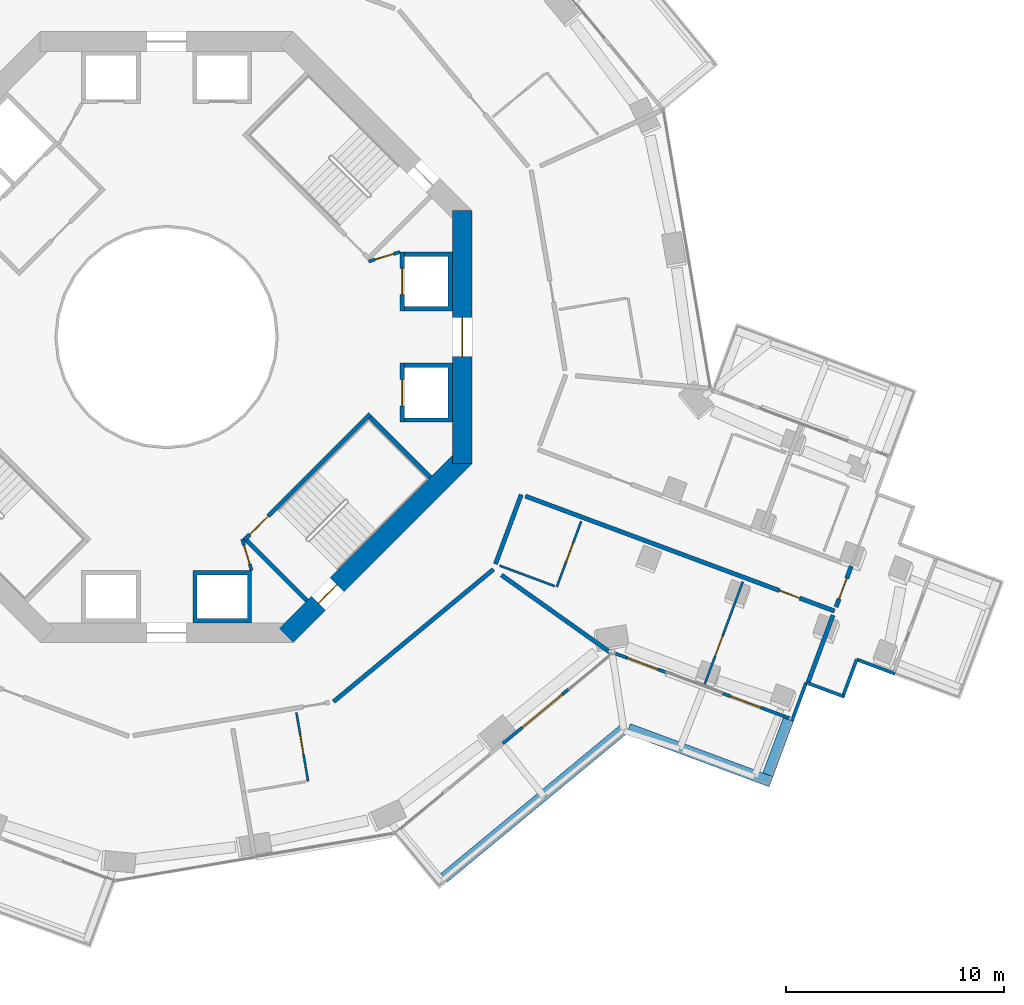
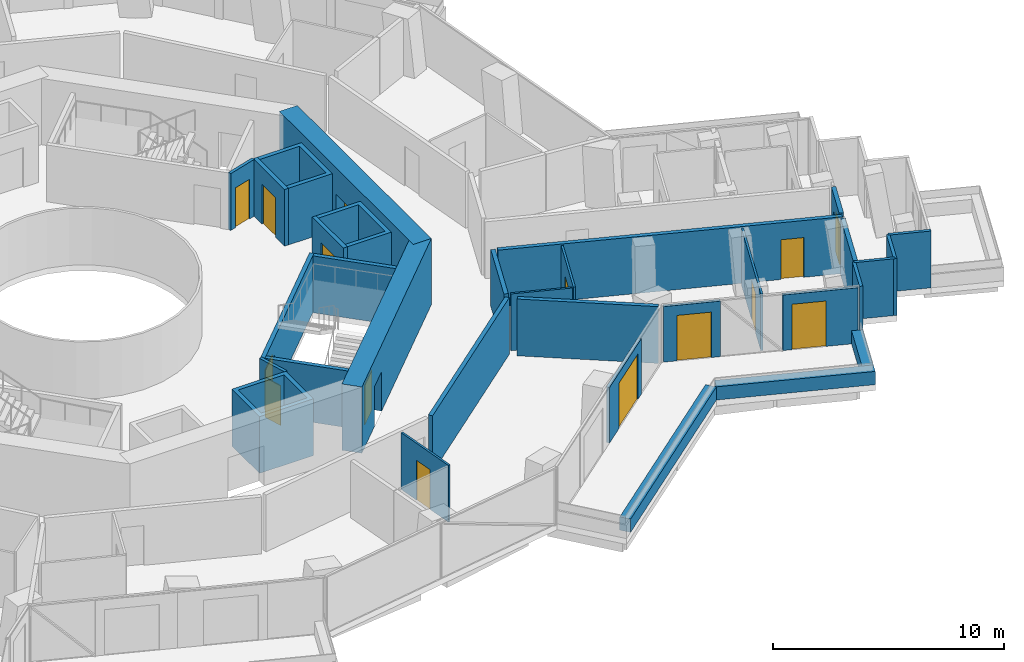
# One storey, part 21 of 27: 32 walls, 15 doors, 15 openings.
"""IFC4 building model written with IfcOpenShell, lengths in metres."""

import ifcopenshell
import ifcopenshell.guid

model = None  # the IFC model being written
_history = None  # IfcOwnerHistory: only IFC2X3 demands one
_inside = {}  # id of a spatial element -> (the spatial element, [elements in it])
_under = {}  # id of a project, library or spatial element -> (it, [spatial elements below it])
_declared = {}  # id of a project -> (the project, [libraries it declares])
_typed = {}  # id of a type object -> (the type object, [elements of that type])
_made_of = {}  # id of a material, layer set ... -> (it, [elements and type objects made of it])


def new_model(schema):
    """Start an empty IFC model of exactly this schema.

    Asked for "IFC4X3", IfcOpenShell would pick the latest addendum, in which some entities
    have other attributes; the version numbers below select the first issue.
    IFC2X3 requires an IfcOwnerHistory on every rooted entity: one is made here for all.
    """
    global model, _history
    if schema == "IFC4X3":
        model = ifcopenshell.file(schema_version=(4, 3, 0, 0))
    else:
        model = ifcopenshell.file(schema=schema)
    _inside.clear()
    _under.clear()
    _declared.clear()
    _typed.clear()
    _made_of.clear()
    _history = None
    if model.schema == "IFC2X3":
        org = make("IfcOrganization", Name="unknown")
        user = make(
            "IfcPersonAndOrganization",
            ThePerson=make("IfcPerson", FamilyName="unknown"),
            TheOrganization=org,
        )
        app = make(
            "IfcApplication",
            ApplicationDeveloper=org,
            Version="unknown",
            ApplicationFullName="unknown",
            ApplicationIdentifier="unknown",
        )
        _history = make(
            "IfcOwnerHistory",
            OwningUser=user,
            OwningApplication=app,
            ChangeAction="ADDED",
            CreationDate=0,
        )
    return model


def make(cls, **values):
    """One entity of the class cls with the attributes given. An attribute that is None is left unset."""
    return model.create_entity(
        cls, **{name: value for name, value in values.items() if value is not None}
    )


def rooted(cls, **values):
    """An entity with a GlobalId (a new one), such as an element, a storey or a relation."""
    return make(cls, GlobalId=ifcopenshell.guid.new(), OwnerHistory=_history, **values)


def si_unit(unit_type, name, prefix=None):
    """IfcSIUnit, for example si_unit("LENGTHUNIT", "METRE", prefix="MILLI")."""
    return make("IfcSIUnit", UnitType=unit_type, Prefix=prefix, Name=name)


def assignment(units):
    """IfcUnitAssignment: the units of a project."""
    return None if units is None else make("IfcUnitAssignment", Units=units)


def point(xyz):
    """IfcCartesianPoint."""
    return None if xyz is None else make("IfcCartesianPoint", Coordinates=xyz)


def direction(xyz):
    """IfcDirection."""
    return None if xyz is None else make("IfcDirection", DirectionRatios=xyz)


def frame(location, z_axis=None, x_axis=None):
    """IfcAxis2Placement3D, a coordinate frame: its origin and axes. An axis left out is left unset."""
    return make(
        "IfcAxis2Placement3D",
        Location=point(location),
        Axis=direction(z_axis),
        RefDirection=direction(x_axis),
    )


def frame_2d(location, x_axis=None):
    """IfcAxis2Placement2D, a coordinate frame in the plane: its origin and x axis."""
    return make(
        "IfcAxis2Placement2D", Location=point(location), RefDirection=direction(x_axis)
    )


def origin():
    """The frame at (0, 0, 0) with its axes left unset."""
    return frame((0.0, 0.0, 0.0))


def place(relative_to, where):
    """IfcLocalPlacement: puts the frame where relative to a parent placement (None: the world)."""
    return make(
        "IfcLocalPlacement", PlacementRelTo=relative_to, RelativePlacement=where
    )


def context(
    kind, dimensions, precision=None, world=None, true_north=None, identifier=None
):
    """IfcGeometricRepresentationContext, for example the 3D "Model" context."""
    return make(
        "IfcGeometricRepresentationContext",
        ContextIdentifier=identifier,
        ContextType=kind,
        CoordinateSpaceDimension=dimensions,
        Precision=precision,
        WorldCoordinateSystem=world,
        TrueNorth=true_north,
    )


def subcontext(parent, identifier, kind, view, scale=None):
    """IfcGeometricRepresentationSubContext, for example "Body" below "Model"."""
    return make(
        "IfcGeometricRepresentationSubContext",
        ContextIdentifier=identifier,
        ContextType=kind,
        ParentContext=parent,
        TargetScale=scale,
        TargetView=view,
    )


def project(units=None, contexts=None):
    """IfcProject with its units and contexts."""
    return rooted(
        "IfcProject",
        Name="project",
        RepresentationContexts=contexts,
        UnitsInContext=assignment(units),
    )


def spatial(cls, under=None, at=None, **own):
    """A site, building, storey or space (cls), placed at a placement, below another one or the project."""
    s = rooted(cls, ObjectPlacement=at, **own)
    if under is not None:
        _under.setdefault(under.id(), (under, []))[1].append(s)
    return s


def polyline(points):
    """IfcPolyline through the points."""
    return make("IfcPolyline", Points=[point(p) for p in points])


def profile(cls, at=None, kind="AREA", **sizes):
    """A parametric profile (cls). Its sizes go by their IFC names, for example OverallWidth=200.0."""
    return make(cls, ProfileType=kind, Position=at, **sizes)


def rectangle(**sizes):
    """IfcRectangleProfileDef."""
    return profile("IfcRectangleProfileDef", **sizes)


def outline(outer, holes=None, kind="AREA"):
    """IfcArbitraryClosedProfileDef: a profile drawn as a closed curve; with holes, ...WithVoids."""
    if holes is None:
        return make("IfcArbitraryClosedProfileDef", ProfileType=kind, OuterCurve=outer)
    return make(
        "IfcArbitraryProfileDefWithVoids",
        ProfileType=kind,
        OuterCurve=outer,
        InnerCurves=holes,
    )


def extrude(swept, where, along, depth):
    """IfcExtrudedAreaSolid: the profile swept, set in the frame where, extruded along a direction by depth."""
    return make(
        "IfcExtrudedAreaSolid",
        SweptArea=swept,
        Position=where,
        ExtrudedDirection=direction(along),
        Depth=depth,
    )


def shape(context_of_items, identifier, shape_type, items):
    """IfcShapeRepresentation: the items that make up one representation, for example the "Body"."""
    return make(
        "IfcShapeRepresentation",
        ContextOfItems=context_of_items,
        RepresentationIdentifier=identifier,
        RepresentationType=shape_type,
        Items=items,
    )


def material(Name=None, Category=None):
    """IfcMaterial."""
    return make("IfcMaterial", Name=Name, Category=Category)


def layer(
    of_material, thickness, ventilated=None, Name=None, Category=None, Priority=None
):
    """IfcMaterialLayer: one layer of a wall or slab, of a material (None: an air gap)."""
    return make(
        "IfcMaterialLayer",
        Material=of_material,
        LayerThickness=thickness,
        IsVentilated=ventilated,
        Name=Name,
        Category=Category,
        Priority=Priority,
    )


def layer_set(layers, Name=None):
    """IfcMaterialLayerSet."""
    return make("IfcMaterialLayerSet", MaterialLayers=layers, LayerSetName=Name)


def made_of(thing, what):
    """Note that an element or type object is made of a material, layer set ...; save() writes the relation."""
    if what is not None:
        _made_of.setdefault(what.id(), (what, []))[1].append(thing)
    return thing


def type_object(cls, material=None, **own):
    """A type object (cls), such as IfcWallType, which elements share."""
    return made_of(rooted(cls, **own), material)


def element(
    cls,
    number,
    at=None,
    inside=None,
    cuts=None,
    type_object=None,
    material=None,
    context=None,
    identifier="Body",
    shape_type=None,
    held_by="IfcProductDefinitionShape",
    body=None,
    shapes=None,
    **own,
):
    """One element of the class cls, such as IfcWall. Its Tag is "e" and its number.

    at: its placement. inside: the storey or other place that contains it. cuts: it is an
    opening in that element (IfcRelVoidsElement). A single representation is given by context,
    identifier, shape_type and body (its items); several are given by shapes. held_by: the class
    of the entity that holds the representations. save() writes the other relations.
    """
    e = rooted(cls, Tag="e%d" % number, ObjectPlacement=at, **own)
    if body is not None:
        shapes = [shape(context, identifier, shape_type, body)]
    if shapes is not None:
        e.Representation = make(held_by, Representations=shapes)
    if inside is not None:
        _inside.setdefault(inside.id(), (inside, []))[1].append(e)
    if cuts is not None:
        rooted(
            "IfcRelVoidsElement", RelatingBuildingElement=cuts, RelatedOpeningElement=e
        )
    if type_object is not None:
        _typed.setdefault(type_object.id(), (type_object, []))[1].append(e)
    return made_of(e, material)


def fill(opening, filler):
    """IfcRelFillsElement: the door or window that sits in an opening."""
    return rooted(
        "IfcRelFillsElement",
        RelatingOpeningElement=opening,
        RelatedBuildingElement=filler,
    )


def aggregate(whole, parts):
    """IfcRelAggregates: a whole, such as a stair, and the parts it consists of."""
    return rooted("IfcRelAggregates", RelatingObject=whole, RelatedObjects=parts)


def save(model, path):
    """Write the relations noted so far, then the file.

    IfcRelAggregates (storeys below a building ...), IfcRelContainedInSpatialStructure (elements
    in a storey), IfcRelDefinesByType, IfcRelAssociatesMaterial and IfcRelDeclares: one each for
    every whole, place, type object, material and project.
    """
    for whole, parts in _under.values():
        aggregate(whole, parts)
    for where, things in _inside.values():
        rooted(
            "IfcRelContainedInSpatialStructure",
            RelatedElements=things,
            RelatingStructure=where,
        )
    for kind, things in _typed.values():
        rooted("IfcRelDefinesByType", RelatedObjects=things, RelatingType=kind)
    for what, things in _made_of.values():
        rooted("IfcRelAssociatesMaterial", RelatedObjects=things, RelatingMaterial=what)
    for by, libraries in _declared.values():
        rooted("IfcRelDeclares", RelatingContext=by, RelatedDefinitions=libraries)
    model.write(path)


model = new_model("IFC4")

# Units and contexts
model_context = context("Model", 3, precision=1e-05, world=origin(), true_north=direction((0.0, 1.0)))
body_context = subcontext(model_context, "Body", "Model", "MODEL_VIEW")
ifc_project = project(units=[si_unit("LENGTHUNIT", "METRE"), si_unit("AREAUNIT", "SQUARE_METRE"), si_unit("VOLUMEUNIT", "CUBIC_METRE"), si_unit("PLANEANGLEUNIT", "RADIAN"), si_unit("MASSUNIT", "GRAM", prefix="KILO")], contexts=[model_context])

# Site, building, storey
site_placement = place(None, origin())
site = spatial("IfcSite", under=ifc_project, at=site_placement, CompositionType="ELEMENT")
building_placement = place(site_placement, origin())
building = spatial("IfcBuilding", under=site, at=building_placement, Name="Verdalira Terraces Hotel", CompositionType="ELEMENT")
storey_placement = place(building_placement, frame((0.0, 0.0, 71.5)))
storey = spatial("IfcBuildingStorey", under=building, at=storey_placement, Name="L16", CompositionType="ELEMENT", Elevation=71.5)

# Walls
ifc_material_1 = material(Name="Concrete C40", Category="concrete")
ifc_layer_1 = layer(ifc_material_1, 0.5)
ifc_layer_set_1 = layer_set([ifc_layer_1], Name="Balcony planter trough with tree")
wall_type_1 = type_object("IfcWallType", Name="Balcony planter trough with tree", PredefinedType="SOLIDWALL", material=ifc_layer_set_1)
wall_1_placement = place(storey_placement, frame((12.720215, -24.788818, 0.0), z_axis=(0.0, 0.0, 1.0), x_axis=(0.770513868, 0.637423234, 0.0)))
element("IfcWall", 1, at=wall_1_placement, inside=storey, type_object=wall_type_1, Name="Balcony planter", PredefinedType="SOLIDWALL", context=body_context, shape_type="SweptSolid", body=[
    extrude(rectangle(XDim=10.652344, YDim=0.5, at=frame_2d((5.326172, 0.0))), origin(), (0.0, 0.0, 1.0), 0.699951),
])
wall_2_placement = place(storey_placement, frame((21.174561, -17.957031, 0.0), z_axis=(0.0, 0.0, 1.0), x_axis=(0.937276934, -0.348585642, 0.0)))
element("IfcWall", 2, at=wall_2_placement, inside=storey, type_object=wall_type_1, Name="Balcony planter", PredefinedType="SOLIDWALL", context=body_context, shape_type="SweptSolid", body=[
    extrude(rectangle(XDim=6.972168, YDim=0.5, at=frame_2d((3.486084, 0.0))), origin(), (0.0, 0.0, 1.0), 0.699951),
])
wall_3_placement = place(storey_placement, frame((27.562256, -20.065918, 0.0), z_axis=(0.0, 0.0, 1.0), x_axis=(0.348604368, 0.937269969, 0.0)))
element("IfcWall", 3, at=wall_3_placement, inside=storey, type_object=wall_type_1, Name="Balcony planter", PredefinedType="SOLIDWALL", context=body_context, shape_type="SweptSolid", body=[
    extrude(rectangle(XDim=2.699219, YDim=0.5, at=frame_2d((1.349609, 0.0))), origin(), (0.0, 0.0, 1.0), 0.699951),
])

# Wall, opening, door
ifc_material_2 = material(Name="Moisture-resistant gypsum board partition")
ifc_layer_2 = layer(ifc_material_2, 0.10009765625)
ifc_layer_set_2 = layer_set([ifc_layer_2], Name="Bathroom partition 100 mm")
wall_type_2 = type_object("IfcWallType", Name="Bathroom partition 100 mm", PredefinedType="PARTITIONING", material=ifc_layer_set_2)
wall_4_placement = place(storey_placement, frame((6.486572, -20.361816, 0.0), z_axis=(0.0, 0.0, 1.0), x_axis=(-0.166773866, 0.985995171, 0.0)))
wall_4 = element("IfcWall", 4, at=wall_4_placement, inside=storey, type_object=wall_type_2, Name="Bathroom partition", PredefinedType="PARTITIONING", context=body_context, shape_type="SweptSolid", body=[
    extrude(rectangle(XDim=3.200195, YDim=0.100098, at=frame_2d((1.600098, 0.0))), origin(), (0.0, 0.0, 1.0), 3.0),
])
opening_1_placement = place(wall_4_placement, frame((1.25, 0.0, 0.0)))
opening_1 = element("IfcOpeningElement", 5, at=opening_1_placement, cuts=wall_4, Name="Opening L16-123", PredefinedType="OPENING", context=body_context, shape_type="SweptSolid", body=[
    extrude(rectangle(XDim=0.899902, YDim=2.100098, at=frame_2d((0.449951, 1.050049))), frame((0.0, 0.060059, 0.0), z_axis=(0.0, -1.0, 0.0), x_axis=(1.0, 0.0, 0.0)), (0.0, 0.0, 1.0), 0.120117),
])
ifc_material_3 = material(Name="Timber door", Category="wood")
door_type_1 = type_object("IfcDoorType", Name="Bathroom door 900 x 2100", OperationType="NOTDEFINED", PredefinedType="DOOR", material=ifc_material_3)
door_1_placement = place(opening_1_placement, origin())
door_1 = element("IfcDoor", 6, at=door_1_placement, inside=storey, type_object=door_type_1, Name="Bathroom door 1610", OperationType="SINGLE_SWING_LEFT", OverallHeight=2.10009765625, OverallWidth=0.89990234375, PredefinedType="DOOR", context=body_context, shape_type="SweptSolid", body=[
    extrude(rectangle(XDim=0.899902, YDim=2.100098, at=frame_2d((0.449951, 1.050049))), frame((0.0, 0.024902, 0.0), z_axis=(0.0, -1.0, 0.0), x_axis=(1.0, 0.0, 0.0)), (0.0, 0.0, 1.0), 0.050049),
])
fill(opening_1, door_1)

# Wall
wall_5_placement = place(storey_placement, frame((15.263428, -10.477539, 0.0), z_axis=(0.0, 0.0, 1.0), x_axis=(0.937284378, -0.348565626, 0.0)))
element("IfcWall", 7, at=wall_5_placement, inside=storey, type_object=wall_type_2, Name="Bathroom partition", PredefinedType="PARTITIONING", context=body_context, shape_type="SweptSolid", body=[
    extrude(rectangle(XDim=2.700195, YDim=0.100098, at=frame_2d((1.350098, 0.0))), origin(), (0.0, 0.0, 1.0), 3.0),
])

# Wall, opening, door
wall_6_placement = place(storey_placement, frame((17.887695, -11.453613, 0.0), z_axis=(0.0, 0.0, 1.0), x_axis=(0.348630859, 0.937260116, 0.0)))
wall_6 = element("IfcWall", 8, at=wall_6_placement, inside=storey, type_object=wall_type_2, Name="Bathroom partition", PredefinedType="PARTITIONING", context=body_context, shape_type="SweptSolid", body=[
    extrude(rectangle(XDim=3.200195, YDim=0.100098, at=frame_2d((1.600098, 0.0))), origin(), (0.0, 0.0, 1.0), 3.0),
])
opening_2_placement = place(wall_6_placement, frame((1.25, 0.0, 0.0)))
opening_2 = element("IfcOpeningElement", 9, at=opening_2_placement, cuts=wall_6, Name="Opening L16-126", PredefinedType="OPENING", context=body_context, shape_type="SweptSolid", body=[
    extrude(rectangle(XDim=0.899902, YDim=2.100098, at=frame_2d((0.449951, 1.050049))), frame((0.0, 0.060059, 0.0), z_axis=(0.0, -1.0, 0.0), x_axis=(1.0, 0.0, 0.0)), (0.0, 0.0, 1.0), 0.120117),
])
door_2_placement = place(opening_2_placement, origin())
door_2 = element("IfcDoor", 10, at=door_2_placement, inside=storey, type_object=door_type_1, Name="Bathroom door 1611", OperationType="SINGLE_SWING_LEFT", OverallHeight=2.10009765625, OverallWidth=0.89990234375, PredefinedType="DOOR", context=body_context, shape_type="SweptSolid", body=[
    extrude(rectangle(XDim=0.899902, YDim=2.100098, at=frame_2d((0.449951, 1.050049))), frame((0.0, 0.024902, 0.0), z_axis=(0.0, -1.0, 0.0), x_axis=(1.0, 0.0, 0.0)), (0.0, 0.0, 1.0), 0.050049),
])
fill(opening_2, door_2)

wall_7_placement = place(storey_placement, frame((24.656738, -15.94458, 0.0), z_axis=(0.0, 0.0, 1.0), x_axis=(0.348573718, 0.937281368, 0.0)))
wall_7 = element("IfcWall", 11, at=wall_7_placement, inside=storey, type_object=wall_type_2, Name="Bathroom partition", PredefinedType="PARTITIONING", context=body_context, shape_type="SweptSolid", body=[
    extrude(rectangle(XDim=5.049805, YDim=0.100098, at=frame_2d((2.524902, 0.0))), origin(), (0.0, 0.0, 1.0), 3.0),
])
opening_3_placement = place(wall_7_placement, frame((1.399902, 0.0, 0.0)))
opening_3 = element("IfcOpeningElement", 12, at=opening_3_placement, cuts=wall_7, Name="Opening L16-125", PredefinedType="OPENING", context=body_context, shape_type="SweptSolid", body=[
    extrude(rectangle(XDim=1.0, YDim=2.100098, at=frame_2d((0.5, 1.050049))), frame((0.0, 0.060059, 0.0), z_axis=(0.0, -1.0, 0.0), x_axis=(1.0, 0.0, 0.0)), (0.0, 0.0, 1.0), 0.120117),
])
ifc_material_4 = material(Name="Timber door", Category="wood")
door_type_2 = type_object("IfcDoorType", Name="Suite internal door 1000 x 2100", OperationType="NOTDEFINED", PredefinedType="DOOR", material=ifc_material_4)
door_3_placement = place(opening_3_placement, origin())
door_3 = element("IfcDoor", 13, at=door_3_placement, inside=storey, type_object=door_type_2, Name="Suite internal door 1611", OperationType="SINGLE_SWING_LEFT", OverallHeight=2.10009765625, OverallWidth=1.0, PredefinedType="DOOR", context=body_context, shape_type="SweptSolid", body=[
    extrude(rectangle(XDim=1.0, YDim=2.100098, at=frame_2d((0.5, 1.050049))), frame((0.0, 0.024902, 0.0), z_axis=(0.0, -1.0, 0.0), x_axis=(1.0, 0.0, 0.0)), (0.0, 0.0, 1.0), 0.050049),
])
fill(opening_3, door_3)

# Wall
ifc_material_5 = material(Name="Concrete C50", Category="concrete")
ifc_layer_3 = layer(ifc_material_5, 0.199951171875)
ifc_layer_set_3 = layer_set([ifc_layer_3], Name="Core RC wall 200 C50")
wall_type_3 = type_object("IfcWallType", Name="Core RC wall 200 C50", PredefinedType="SOLIDWALL", material=ifc_layer_set_3)
wall_8_placement = place(storey_placement, origin())
element("IfcWall", 14, at=wall_8_placement, inside=storey, type_object=wall_type_3, Name="L16 shaft wall E1", PredefinedType="SOLIDWALL", context=body_context, shape_type="SweptSolid", body=[
    extrude(outline(polyline([(13.100098, -3.899902), (10.899902, -3.899902), (10.899902, -3.699951), (12.899902, -3.699951), (12.899902, -1.399902), (10.899902, -1.399902), (10.899902, -1.199951), (13.100098, -1.199951), (13.100098, -3.899902)])), origin(), (0.0, 0.0, 1.0), 3.0),
])

# Wall, opening, door
wall_9_placement = place(storey_placement, frame((10.800049, -1.199951, 0.0), z_axis=(0.0, 0.0, 1.0), x_axis=(0.0, -1.0, 0.0)))
wall_9 = element("IfcWall", 15, at=wall_9_placement, inside=storey, type_object=wall_type_3, Name="L16 shaft front wall E1", PredefinedType="SOLIDWALL", context=body_context, shape_type="SweptSolid", body=[
    extrude(rectangle(XDim=2.699951, YDim=0.199951, at=frame_2d((1.350098, 0.0))), origin(), (0.0, 0.0, 1.0), 3.0),
])
opening_4_placement = place(wall_9_placement, frame((0.75, 0.0, 0.0)))
opening_4 = element("IfcOpeningElement", 16, at=opening_4_placement, cuts=wall_9, Name="Opening LD-L16-801", PredefinedType="OPENING", context=body_context, shape_type="SweptSolid", body=[
    extrude(rectangle(XDim=1.199951, YDim=2.100098, at=frame_2d((0.600098, 1.050049))), frame((0.0, 0.109863, 0.0), z_axis=(0.0, -1.0, 0.0), x_axis=(1.0, 0.0, 0.0)), (0.0, 0.0, 1.0), 0.219971),
])
ifc_material_6 = material(Name="Stainless steel", Category="steel")
door_type_3 = type_object("IfcDoorType", Name="Landing door 1200 x 2100", OperationType="NOTDEFINED", PredefinedType="DOOR", material=ifc_material_6)
door_4_placement = place(opening_4_placement, origin())
door_4 = element("IfcDoor", 17, at=door_4_placement, inside=storey, type_object=door_type_3, Name="Lift landing door LR1 L16", OperationType="DOUBLE_DOOR_SLIDING", OverallHeight=2.10009765625, OverallWidth=1.199951171875, PredefinedType="DOOR", context=body_context, shape_type="SweptSolid", body=[
    extrude(rectangle(XDim=1.199951, YDim=2.100098, at=frame_2d((0.600098, 1.050049))), frame((0.0, 0.024902, 0.0), z_axis=(0.0, -1.0, 0.0), x_axis=(1.0, 0.0, 0.0)), (0.0, 0.0, 1.0), 0.050049),
])
fill(opening_4, door_4)

# Wall
wall_10_placement = place(storey_placement, origin())
element("IfcWall", 18, at=wall_10_placement, inside=storey, type_object=wall_type_3, Name="L16 shaft wall E2", PredefinedType="SOLIDWALL", context=body_context, shape_type="SweptSolid", body=[
    extrude(outline(polyline([(13.100098, 3.899902), (13.100098, 1.199951), (10.899902, 1.199951), (10.899902, 1.399902), (12.899902, 1.399902), (12.899902, 3.699951), (10.899902, 3.699951), (10.899902, 3.899902), (13.100098, 3.899902)])), origin(), (0.0, 0.0, 1.0), 3.0),
])

# Wall, opening, door
wall_11_placement = place(storey_placement, frame((10.800049, 1.199951, 0.0), z_axis=(0.0, 0.0, 1.0), x_axis=(0.0, 1.0, 0.0)))
wall_11 = element("IfcWall", 19, at=wall_11_placement, inside=storey, type_object=wall_type_3, Name="L16 shaft front wall E2", PredefinedType="SOLIDWALL", context=body_context, shape_type="SweptSolid", body=[
    extrude(rectangle(XDim=2.699951, YDim=0.199951, at=frame_2d((1.350098, 0.0))), origin(), (0.0, 0.0, 1.0), 3.0),
])
opening_5_placement = place(wall_11_placement, frame((0.75, 0.0, 0.0)))
opening_5 = element("IfcOpeningElement", 20, at=opening_5_placement, cuts=wall_11, Name="Opening LD-L16-802", PredefinedType="OPENING", context=body_context, shape_type="SweptSolid", body=[
    extrude(rectangle(XDim=1.199951, YDim=2.100098, at=frame_2d((0.600098, 1.050049))), frame((0.0, 0.109863, 0.0), z_axis=(0.0, -1.0, 0.0), x_axis=(1.0, 0.0, 0.0)), (0.0, 0.0, 1.0), 0.219971),
])
door_5_placement = place(opening_5_placement, origin())
door_5 = element("IfcDoor", 21, at=door_5_placement, inside=storey, type_object=door_type_3, Name="Lift landing door LR2 L16", OperationType="DOUBLE_DOOR_SLIDING", OverallHeight=2.10009765625, OverallWidth=1.199951171875, PredefinedType="DOOR", context=body_context, shape_type="SweptSolid", body=[
    extrude(rectangle(XDim=1.199951, YDim=2.100098, at=frame_2d((0.600098, 1.050049))), frame((0.0, 0.024902, 0.0), z_axis=(0.0, -1.0, 0.0), x_axis=(1.0, 0.0, 0.0)), (0.0, 0.0, 1.0), 0.050049),
])
fill(opening_5, door_5)

# Wall
wall_12_placement = place(storey_placement, origin())
element("IfcWall", 22, at=wall_12_placement, inside=storey, type_object=wall_type_3, Name="L16 shaft wall S2", PredefinedType="SOLIDWALL", context=body_context, shape_type="SweptSolid", body=[
    extrude(outline(polyline([(3.899902, -10.699951), (3.899902, -13.100098), (1.199951, -13.100098), (1.199951, -10.699951), (3.899902, -10.699951)]), holes=[polyline([(1.399902, -12.899902), (3.699951, -12.899902), (3.699951, -10.899902), (1.399902, -10.899902), (1.399902, -12.899902)])]), origin(), (0.0, 0.0, 1.0), 3.0),
])

# Wall, opening, door
wall_13_placement = place(storey_placement, frame((9.33374, -3.5354, 0.0), z_axis=(0.0, 0.0, 1.0), x_axis=(-0.707106781, -0.707106781, 0.0)))
wall_13 = element("IfcWall", 23, at=wall_13_placement, inside=storey, type_object=wall_type_3, Name="L16 stair ST3 front wall", PredefinedType="SOLIDWALL", context=body_context, shape_type="SweptSolid", body=[
    extrude(rectangle(XDim=8.200195, YDim=0.199951, at=frame_2d((4.100098, 0.0))), origin(), (0.0, 0.0, 1.0), 3.0),
])
opening_6_placement = place(wall_13_placement, frame((6.600098, 0.0, 0.0)))
opening_6 = element("IfcOpeningElement", 24, at=opening_6_placement, cuts=wall_13, Name="Opening L16-811", PredefinedType="OPENING", context=body_context, shape_type="SweptSolid", body=[
    extrude(rectangle(XDim=1.199951, YDim=2.100098, at=frame_2d((0.600098, 1.050049))), frame((0.0, 0.109863, 0.0), z_axis=(0.0, -1.0, 0.0), x_axis=(1.0, 0.0, 0.0)), (0.0, 0.0, 1.0), 0.219971),
])
ifc_material_7 = material(Name="Steel fire door", Category="steel")
door_type_4 = type_object("IfcDoorType", Name="Stair door 1200 x 2100", OperationType="NOTDEFINED", PredefinedType="DOOR", material=ifc_material_7)
door_6_placement = place(opening_6_placement, origin())
door_6 = element("IfcDoor", 25, at=door_6_placement, inside=storey, type_object=door_type_4, Name="Stair door ST3 L16", OperationType="SINGLE_SWING_RIGHT", OverallHeight=2.10009765625, OverallWidth=1.199951171875, PredefinedType="DOOR", context=body_context, shape_type="SweptSolid", body=[
    extrude(rectangle(XDim=1.199951, YDim=2.100098, at=frame_2d((0.600098, 1.050049))), frame((0.0, 0.024902, 0.0), z_axis=(0.0, -1.0, 0.0), x_axis=(1.0, 0.0, 0.0)), (0.0, 0.0, 1.0), 0.050049),
])
fill(opening_6, door_6)

# Walls
for number, where, z_axis, x_axis, name in (
    (26, (3.677002, -9.33374, 0.0), (0.0, 0.0, 1.0), (0.707106781, -0.707106781, 0.0), "L16 stair ST3 end wall 1"),
    (27, (9.33374, -3.677002, 0.0), (0.0, 0.0, 1.0), (0.707106781, -0.707106781, 0.0), "L16 stair ST3 end wall 2"),
):
    element("IfcWall", number, at=place(storey_placement, frame(where, z_axis=z_axis, x_axis=x_axis)), inside=storey, type_object=wall_type_3, Name=name, PredefinedType="SOLIDWALL", context=body_context, shape_type="SweptSolid", body=[
        extrude(rectangle(XDim=3.900146, YDim=0.199951, at=frame_2d((1.950195, 0.0))), origin(), (0.0, 0.0, 1.0), 3.0),
    ])

# Wall, opening, door
ifc_material_8 = material(Name="Gypsum board partition")
ifc_layer_4 = layer(ifc_material_8, 0.14990234375)
ifc_layer_set_4 = layer_set([ifc_layer_4], Name="Core partition 150 mm")
wall_type_4 = type_object("IfcWallType", Name="Core partition 150 mm", PredefinedType="PARTITIONING", material=ifc_layer_set_4)
wall_14_placement = place(storey_placement, frame((10.699951, 3.899902, 0.0), z_axis=(0.0, 0.0, 1.0), x_axis=(-0.957084567, -0.289808785, 0.0)))
wall_14 = element("IfcWall", 28, at=wall_14_placement, inside=storey, type_object=wall_type_4, Name="Room partition L16", PredefinedType="PARTITIONING", context=body_context, shape_type="SweptSolid", body=[
    extrude(rectangle(XDim=1.501221, YDim=0.149902, at=frame_2d((0.750488, 0.0))), origin(), (0.0, 0.0, 1.0), 3.0),
])
opening_7_placement = place(wall_14_placement, frame((0.300781, 0.0, 0.0)))
opening_7 = element("IfcOpeningElement", 29, at=opening_7_placement, cuts=wall_14, Name="Opening L16-820", PredefinedType="OPENING", context=body_context, shape_type="SweptSolid", body=[
    extrude(rectangle(XDim=0.899902, YDim=2.100098, at=frame_2d((0.449951, 1.050049))), frame((0.0, 0.084961, 0.0), z_axis=(0.0, -1.0, 0.0), x_axis=(1.0, 0.0, 0.0)), (0.0, 0.0, 1.0), 0.169922),
])
ifc_material_9 = material(Name="Steel fire door", Category="steel")
door_type_5 = type_object("IfcDoorType", Name="Core room door 900 x 2100", OperationType="NOTDEFINED", PredefinedType="DOOR", material=ifc_material_9)
door_7_placement = place(opening_7_placement, origin())
door_7 = element("IfcDoor", 30, at=door_7_placement, inside=storey, type_object=door_type_5, Name="Door L16 room0", OperationType="SINGLE_SWING_LEFT", OverallHeight=2.10009765625, OverallWidth=0.89990234375, PredefinedType="DOOR", context=body_context, shape_type="SweptSolid", body=[
    extrude(rectangle(XDim=0.899902, YDim=2.100098, at=frame_2d((0.449951, 1.050049))), frame((0.0, 0.024902, 0.0), z_axis=(0.0, -1.0, 0.0), x_axis=(1.0, 0.0, 0.0)), (0.0, 0.0, 1.0), 0.050049),
])
fill(opening_7, door_7)

wall_15_placement = place(storey_placement, frame((3.899902, -10.699951, 0.0), z_axis=(0.0, 0.0, 1.0), x_axis=(-0.289808785, 0.957084567, 0.0)))
wall_15 = element("IfcWall", 31, at=wall_15_placement, inside=storey, type_object=wall_type_4, Name="Room partition L16", PredefinedType="PARTITIONING", context=body_context, shape_type="SweptSolid", body=[
    extrude(rectangle(XDim=1.501221, YDim=0.149902, at=frame_2d((0.750488, 0.0))), origin(), (0.0, 0.0, 1.0), 3.0),
])
opening_8_placement = place(wall_15_placement, frame((0.300781, 0.0, 0.0)))
opening_8 = element("IfcOpeningElement", 32, at=opening_8_placement, cuts=wall_15, Name="Opening L16-823", PredefinedType="OPENING", context=body_context, shape_type="SweptSolid", body=[
    extrude(rectangle(XDim=0.899902, YDim=2.100098, at=frame_2d((0.449951, 1.050049))), frame((0.0, 0.084961, 0.0), z_axis=(0.0, -1.0, 0.0), x_axis=(1.0, 0.0, 0.0)), (0.0, 0.0, 1.0), 0.169922),
])
door_8_placement = place(opening_8_placement, origin())
door_8 = element("IfcDoor", 33, at=door_8_placement, inside=storey, type_object=door_type_5, Name="Door L16 room6", OperationType="SINGLE_SWING_LEFT", OverallHeight=2.10009765625, OverallWidth=0.89990234375, PredefinedType="DOOR", context=body_context, shape_type="SweptSolid", body=[
    extrude(rectangle(XDim=0.899902, YDim=2.100098, at=frame_2d((0.449951, 1.050049))), frame((0.0, 0.024902, 0.0), z_axis=(0.0, -1.0, 0.0), x_axis=(1.0, 0.0, 0.0)), (0.0, 0.0, 1.0), 0.050049),
])
fill(opening_8, door_8)

ifc_material_10 = material(Name="Concrete C70", Category="concrete")
ifc_layer_5 = layer(ifc_material_10, 0.89990234375)
ifc_layer_set_5 = layer_set([ifc_layer_5], Name="Core wall 900 C70")
wall_type_5 = type_object("IfcWallType", Name="Core wall 900 C70", PredefinedType="SHEAR", material=ifc_layer_set_5)
wall_16_placement = place(storey_placement, frame((13.550049, -5.799072, 0.0), z_axis=(0.0, 0.0, 1.0), x_axis=(0.0, 1.0, 0.0)))
wall_16 = element("IfcWall", 34, at=wall_16_placement, inside=storey, type_object=wall_type_5, Name="Core wall CW-L16-1", PredefinedType="SHEAR", context=body_context, shape_type="SweptSolid", body=[
    extrude(rectangle(XDim=11.598145, YDim=0.899902, at=frame_2d((5.799072, 0.0))), origin(), (0.0, 0.0, 1.0), 3.5),
])
opening_9_placement = place(wall_16_placement, frame((4.898926, 0.0, 0.0)))
opening_9 = element("IfcOpeningElement", 35, at=opening_9_placement, cuts=wall_16, Name="Opening L16-812", PredefinedType="OPENING", context=body_context, shape_type="SweptSolid", body=[
    extrude(rectangle(XDim=1.800049, YDim=2.100098, at=frame_2d((0.899902, 1.050049))), frame((0.0, 0.459961, 0.0), z_axis=(0.0, -1.0, 0.0), x_axis=(1.0, 0.0, 0.0)), (0.0, 0.0, 1.0), 0.919922),
])
ifc_material_11 = material(Name="Steel fire door", Category="steel")
door_type_6 = type_object("IfcDoorType", Name="Core entry door pair 1800 x 2100", OperationType="NOTDEFINED", PredefinedType="DOOR", material=ifc_material_11)
door_9_placement = place(opening_9_placement, origin())
door_9 = element("IfcDoor", 36, at=door_9_placement, inside=storey, type_object=door_type_6, Name="Core entry door L16 0", OperationType="DOUBLE_DOOR_SINGLE_SWING", OverallHeight=2.10009765625, OverallWidth=1.800048828125, PredefinedType="DOOR", context=body_context, shape_type="SweptSolid", body=[
    extrude(rectangle(XDim=1.800049, YDim=2.100098, at=frame_2d((0.899902, 1.050049))), frame((0.0, 0.024902, 0.0), z_axis=(0.0, -1.0, 0.0), x_axis=(1.0, 0.0, 0.0)), (0.0, 0.0, 1.0), 0.050049),
])
fill(opening_9, door_9)

wall_17_placement = place(storey_placement, frame((5.480713, -13.681885, 0.0), z_axis=(0.0, 0.0, 1.0), x_axis=(0.707106781, 0.707106781, 0.0)))
wall_17 = element("IfcWall", 37, at=wall_17_placement, inside=storey, type_object=wall_type_5, Name="Core wall CW-L16-8", PredefinedType="SHEAR", context=body_context, shape_type="SweptSolid", body=[
    extrude(rectangle(XDim=11.598145, YDim=0.899902, at=frame_2d((5.799072, 0.0))), origin(), (0.0, 0.0, 1.0), 3.5),
])
opening_10_placement = place(wall_17_placement, frame((2.099121, 0.0, 0.0)))
opening_10 = element("IfcOpeningElement", 38, at=opening_10_placement, cuts=wall_17, Name="Opening L16-818", PredefinedType="OPENING", context=body_context, shape_type="SweptSolid", body=[
    extrude(rectangle(XDim=1.199951, YDim=2.100098, at=frame_2d((0.600098, 1.050049))), frame((0.0, 0.459961, 0.0), z_axis=(0.0, -1.0, 0.0), x_axis=(1.0, 0.0, 0.0)), (0.0, 0.0, 1.0), 0.919922),
])
door_10_placement = place(opening_10_placement, origin())
door_10 = element("IfcDoor", 39, at=door_10_placement, inside=storey, type_object=door_type_4, Name="Stair exit door ST3 L16", OperationType="SINGLE_SWING_LEFT", OverallHeight=2.10009765625, OverallWidth=1.199951171875, PredefinedType="DOOR", context=body_context, shape_type="SweptSolid", body=[
    extrude(rectangle(XDim=1.199951, YDim=2.100098, at=frame_2d((0.600098, 1.050049))), frame((0.0, 0.024902, 0.0), z_axis=(0.0, -1.0, 0.0), x_axis=(1.0, 0.0, 0.0)), (0.0, 0.0, 1.0), 0.050049),
])
fill(opening_10, door_10)

# Walls
ifc_material_12 = material(Name="Fire-rated gypsum board wall")
ifc_layer_6 = layer(ifc_material_12, 0.199951171875)
ifc_layer_set_6 = layer_set([ifc_layer_6], Name="Demising wall 200 mm")
wall_type_6 = type_object("IfcWallType", Name="Demising wall 200 mm", PredefinedType="SOLIDWALL", material=ifc_layer_set_6)
wall_18_placement = place(storey_placement, frame((15.350586, -10.908936, 0.0), z_axis=(0.0, 0.0, 1.0), x_axis=(0.815116587, -0.579296944, 0.0)))
element("IfcWall", 40, at=wall_18_placement, inside=storey, type_object=wall_type_6, Name="Demising wall", PredefinedType="SOLIDWALL", context=body_context, shape_type="SweptSolid", body=[
    extrude(rectangle(XDim=6.13208, YDim=0.199951, at=frame_2d((3.065918, 0.0))), origin(), (0.0, 0.0, 1.0), 3.0),
])
wall_19_placement = place(storey_placement, frame((30.550293, -12.748535, 0.0), z_axis=(0.0, 0.0, 1.0), x_axis=(-0.348561838, -0.937285786, 0.0)))
element("IfcWall", 41, at=wall_19_placement, inside=storey, type_object=wall_type_6, Name="Demising wall", PredefinedType="SOLIDWALL", context=body_context, shape_type="SweptSolid", body=[
    extrude(rectangle(XDim=3.25, YDim=0.199951, at=frame_2d((1.625, 0.0))), origin(), (0.0, 0.0, 1.0), 3.0),
])
ifc_material_13 = material(Name="Fire-rated gypsum board wall")
ifc_layer_7 = layer(ifc_material_13, 0.199951171875)
ifc_layer_set_7 = layer_set([ifc_layer_7], Name="Guest corridor wall 200 mm")
wall_type_7 = type_object("IfcWallType", Name="Guest corridor wall 200 mm", PredefinedType="SOLIDWALL", material=ifc_layer_set_7)
wall_20_placement = place(storey_placement, frame((7.653564, -16.71582, 0.0), z_axis=(0.0, 0.0, 1.0), x_axis=(0.770506418, 0.63743224, 0.0)))
element("IfcWall", 42, at=wall_20_placement, inside=storey, type_object=wall_type_7, Name="Guest corridor wall", PredefinedType="SOLIDWALL", context=body_context, shape_type="SweptSolid", body=[
    extrude(rectangle(XDim=9.516113, YDim=0.199951, at=frame_2d((4.758057, 0.0))), origin(), (0.0, 0.0, 1.0), 3.0),
])
wall_21_placement = place(storey_placement, frame((15.075928, -10.407715, 0.0), z_axis=(0.0, 0.0, 1.0), x_axis=(0.348572345, 0.937281879, 0.0)))
element("IfcWall", 43, at=wall_21_placement, inside=storey, type_object=wall_type_7, Name="Guest corridor wall", PredefinedType="SOLIDWALL", context=body_context, shape_type="SweptSolid", body=[
    extrude(rectangle(XDim=3.399658, YDim=0.199951, at=frame_2d((1.699707, 0.0))), origin(), (0.0, 0.0, 1.0), 3.0),
])

# Wall, opening, door
wall_22_placement = place(storey_placement, frame((30.620117, -12.561035, 0.0), z_axis=(0.0, 0.0, 1.0), x_axis=(-0.937284552, 0.348565156, 0.0)))
wall_22 = element("IfcWall", 44, at=wall_22_placement, inside=storey, type_object=wall_type_7, Name="Guest corridor wall", PredefinedType="SOLIDWALL", context=body_context, shape_type="SweptSolid", body=[
    extrude(rectangle(XDim=15.119873, YDim=0.199951, at=frame_2d((7.560059, 0.0))), origin(), (0.0, 0.0, 1.0), 3.0),
])
opening_11_placement = place(wall_22_placement, frame((1.699951, 0.0, 0.0)))
opening_11 = element("IfcOpeningElement", 45, at=opening_11_placement, cuts=wall_22, Name="Opening L16-124", PredefinedType="OPENING", context=body_context, shape_type="SweptSolid", body=[
    extrude(rectangle(XDim=1.0, YDim=2.100098, at=frame_2d((0.5, 1.050049))), frame((0.0, 0.109863, 0.0), z_axis=(0.0, -1.0, 0.0), x_axis=(1.0, 0.0, 0.0)), (0.0, 0.0, 1.0), 0.219971),
])
ifc_material_14 = material(Name="Timber fire door", Category="wood")
door_type_7 = type_object("IfcDoorType", Name="Guest entry door 1000 x 2100", OperationType="NOTDEFINED", PredefinedType="DOOR", material=ifc_material_14)
door_11_placement = place(opening_11_placement, origin())
door_11 = element("IfcDoor", 46, at=door_11_placement, inside=storey, type_object=door_type_7, Name="Guest entry door 1611", OperationType="SINGLE_SWING_LEFT", OverallHeight=2.10009765625, OverallWidth=1.0, PredefinedType="DOOR", context=body_context, shape_type="SweptSolid", body=[
    extrude(rectangle(XDim=1.0, YDim=2.100098, at=frame_2d((0.5, 1.050049))), frame((0.0, 0.024902, 0.0), z_axis=(0.0, -1.0, 0.0), x_axis=(1.0, 0.0, 0.0)), (0.0, 0.0, 1.0), 0.050049),
])
fill(opening_11, door_11)

wall_23_placement = place(storey_placement, frame((31.387695, -10.497314, 0.0), z_axis=(0.0, 0.0, 1.0), x_axis=(-0.348571934, -0.937282031, 0.0)))
wall_23 = element("IfcWall", 47, at=wall_23_placement, inside=storey, type_object=wall_type_7, Name="Guest corridor wall", PredefinedType="SOLIDWALL", context=body_context, shape_type="SweptSolid", body=[
    extrude(rectangle(XDim=2.003906, YDim=0.199951, at=frame_2d((1.001953, 0.0))), origin(), (0.0, 0.0, 1.0), 3.0),
])
opening_12_placement = place(wall_23_placement, frame((0.600098, 0.0, 0.0)))
opening_12 = element("IfcOpeningElement", 48, at=opening_12_placement, cuts=wall_23, Name="Opening L16-127", PredefinedType="OPENING", context=body_context, shape_type="SweptSolid", body=[
    extrude(rectangle(XDim=1.0, YDim=2.100098, at=frame_2d((0.5, 1.050049))), frame((0.0, 0.109863, 0.0), z_axis=(0.0, -1.0, 0.0), x_axis=(1.0, 0.0, 0.0)), (0.0, 0.0, 1.0), 0.219971),
])
door_12_placement = place(opening_12_placement, origin())
door_12 = element("IfcDoor", 49, at=door_12_placement, inside=storey, type_object=door_type_7, Name="Guest entry door 1612", OperationType="SINGLE_SWING_LEFT", OverallHeight=2.10009765625, OverallWidth=1.0, PredefinedType="DOOR", context=body_context, shape_type="SweptSolid", body=[
    extrude(rectangle(XDim=1.0, YDim=2.100098, at=frame_2d((0.5, 1.050049))), frame((0.0, 0.024902, 0.0), z_axis=(0.0, -1.0, 0.0), x_axis=(1.0, 0.0, 0.0)), (0.0, 0.0, 1.0), 0.050049),
])
fill(opening_12, door_12)

# Walls
ifc_material_15 = material(Name="Terracotta cladding", Category="masonry")
ifc_layer_8 = layer(ifc_material_15, 0.14990234375)
ifc_layer_set_8 = layer_set([ifc_layer_8], Name="Terracotta clad wall 150")
wall_type_8 = type_object("IfcWallType", Name="Terracotta clad wall 150", PredefinedType="SOLIDWALL", material=ifc_layer_set_8)
wall_24_placement = place(storey_placement, frame((28.66748, -17.596191, 0.0), z_axis=(0.0, 0.0, 1.0), x_axis=(0.34858209, 0.937278254, 0.0)))
element("IfcWall", 50, at=wall_24_placement, inside=storey, type_object=wall_type_8, Name="Terracotta cladding wall", PredefinedType="SOLIDWALL", context=body_context, shape_type="SweptSolid", body=[
    extrude(rectangle(XDim=1.875, YDim=0.149902, at=frame_2d((0.9375, 0.0))), origin(), (0.0, 0.0, 1.0), 3.0),
])
wall_25_placement = place(storey_placement, frame((29.321045, -15.838867, 0.0), z_axis=(0.0, 0.0, 1.0), x_axis=(0.93728987, -0.348550856, 0.0)))
element("IfcWall", 51, at=wall_25_placement, inside=storey, type_object=wall_type_8, Name="Terracotta cladding wall", PredefinedType="SOLIDWALL", context=body_context, shape_type="SweptSolid", body=[
    extrude(rectangle(XDim=1.800049, YDim=0.149902, at=frame_2d((0.899902, 0.0))), origin(), (0.0, 0.0, 1.0), 3.0),
])
for number, where, z_axis, x_axis, name in (
    (52, (30.981934, -16.536621, 0.0), (0.0, 0.0, 1.0), (0.348696474, 0.937235706, 0.0), "Terracotta cladding wall"),
    (53, (31.635742, -14.779297, 0.0), (0.0, 0.0, 1.0), (0.937278254, -0.34858209, 0.0), "Terracotta cladding wall"),
):
    element("IfcWall", number, at=place(storey_placement, frame(where, z_axis=z_axis, x_axis=x_axis)), inside=storey, type_object=wall_type_8, Name=name, PredefinedType="SOLIDWALL", context=body_context, shape_type="SweptSolid", body=[
        extrude(rectangle(XDim=1.875, YDim=0.149902, at=frame_2d((0.9375, 0.0))), origin(), (0.0, 0.0, 1.0), 3.0),
    ])

# Wall, opening, door
ifc_material_16 = material(Name="Terracotta cladding", Category="masonry")
ifc_layer_9 = layer(ifc_material_16, 0.14990234375)
ifc_layer_set_9 = layer_set([ifc_layer_9], Name="Terracotta door pier 150")
wall_type_9 = type_object("IfcWallType", Name="Terracotta door pier 150", PredefinedType="SOLIDWALL", material=ifc_layer_set_9)
wall_26_placement = place(storey_placement, frame((15.415039, -18.633545, 0.0), z_axis=(0.0, 0.0, 1.0), x_axis=(0.770532872, 0.637400262, 0.0)))
wall_26 = element("IfcWall", 54, at=wall_26_placement, inside=storey, type_object=wall_type_9, Name="Terracotta door pier", PredefinedType="SOLIDWALL", context=body_context, shape_type="SweptSolid", body=[
    extrude(rectangle(XDim=3.938965, YDim=0.149902, at=frame_2d((1.969482, 0.0))), origin(), (0.0, 0.0, 1.0), 2.935059),
])
opening_13_placement = place(wall_26_placement, frame((1.138916, 0.0, 0.0)))
opening_13 = element("IfcOpeningElement", 55, at=opening_13_placement, cuts=wall_26, Name="Opening L16-B10", PredefinedType="OPENING", context=body_context, shape_type="SweptSolid", body=[
    extrude(rectangle(XDim=2.399902, YDim=2.399902, at=frame_2d((1.199951, 1.199951))), frame((0.0, 0.084961, 0.0), z_axis=(0.0, -1.0, 0.0), x_axis=(1.0, 0.0, 0.0)), (0.0, 0.0, 1.0), 0.169922),
])
ifc_material_17 = material(Name="Clear glass", Category="glass")
door_type_8 = type_object("IfcDoorType", Name="Balcony sliding door 2400x2400", OperationType="NOTDEFINED", PredefinedType="DOOR", material=ifc_material_17)
door_13_placement = place(opening_13_placement, origin())
door_13 = element("IfcDoor", 56, at=door_13_placement, inside=storey, type_object=door_type_8, Name="Balcony sliding door", OperationType="SLIDING_TO_LEFT", OverallHeight=2.39990234375, OverallWidth=2.39990234375, PredefinedType="DOOR", context=body_context, shape_type="SweptSolid", body=[
    extrude(rectangle(XDim=2.399902, YDim=2.399902, at=frame_2d((1.199951, 1.199951))), frame((0.0, 0.024902, 0.0), z_axis=(0.0, -1.0, 0.0), x_axis=(1.0, 0.0, 0.0)), (0.0, 0.0, 1.0), 0.050049),
])
fill(opening_13, door_13)

wall_27_placement = place(storey_placement, frame((20.562988, -14.502197, 0.0), z_axis=(0.0, 0.0, 1.0), x_axis=(0.937270154, -0.348603871, 0.0)))
wall_27 = element("IfcWall", 57, at=wall_27_placement, inside=storey, type_object=wall_type_9, Name="Terracotta door pier", PredefinedType="SOLIDWALL", context=body_context, shape_type="SweptSolid", body=[
    extrude(rectangle(XDim=2.496826, YDim=0.149902, at=frame_2d((1.248535, 0.0))), origin(), (0.0, 0.0, 1.0), 2.935059),
])
opening_14_placement = place(wall_27_placement, frame((0.59668, 0.0, 0.0)))
opening_14 = element("IfcOpeningElement", 58, at=opening_14_placement, cuts=wall_27, Name="Opening L16-B11", PredefinedType="OPENING", context=body_context, shape_type="SweptSolid", body=[
    extrude(rectangle(XDim=1.5, YDim=2.399902, at=frame_2d((0.75, 1.199951))), frame((0.0, 0.084961, 0.0), z_axis=(0.0, -1.0, 0.0), x_axis=(1.0, 0.0, 0.0)), (0.0, 0.0, 1.0), 0.169922),
])
ifc_material_18 = material(Name="Clear glass", Category="glass")
door_type_9 = type_object("IfcDoorType", Name="Balcony sliding door 1500x2400", OperationType="NOTDEFINED", PredefinedType="DOOR", material=ifc_material_18)
door_14_placement = place(opening_14_placement, origin())
door_14 = element("IfcDoor", 59, at=door_14_placement, inside=storey, type_object=door_type_9, Name="Balcony sliding door", OperationType="SLIDING_TO_LEFT", OverallHeight=2.39990234375, OverallWidth=1.5, PredefinedType="DOOR", context=body_context, shape_type="SweptSolid", body=[
    extrude(rectangle(XDim=1.5, YDim=2.399902, at=frame_2d((0.75, 1.199951))), frame((0.0, 0.024902, 0.0), z_axis=(0.0, -1.0, 0.0), x_axis=(1.0, 0.0, 0.0)), (0.0, 0.0, 1.0), 0.050049),
])
fill(opening_14, door_14)

wall_28_placement = place(storey_placement, frame((25.467529, -16.326172, 0.0), z_axis=(0.0, 0.0, 1.0), x_axis=(0.937293311, -0.348541603, 0.0)))
wall_28 = element("IfcWall", 60, at=wall_28_placement, inside=storey, type_object=wall_type_9, Name="Terracotta door pier", PredefinedType="SOLIDWALL", context=body_context, shape_type="SweptSolid", body=[
    extrude(rectangle(XDim=3.297119, YDim=0.149902, at=frame_2d((1.648438, 0.0))), origin(), (0.0, 0.0, 1.0), 2.935059),
])
opening_15_placement = place(wall_28_placement, frame((0.399902, 0.0, 0.0)))
opening_15 = element("IfcOpeningElement", 61, at=opening_15_placement, cuts=wall_28, Name="Opening L16-B12", PredefinedType="OPENING", context=body_context, shape_type="SweptSolid", body=[
    extrude(rectangle(XDim=1.5, YDim=2.399902, at=frame_2d((0.75, 1.199951))), frame((0.0, 0.084961, 0.0), z_axis=(0.0, -1.0, 0.0), x_axis=(1.0, 0.0, 0.0)), (0.0, 0.0, 1.0), 0.169922),
])
door_15_placement = place(opening_15_placement, origin())
door_15 = element("IfcDoor", 62, at=door_15_placement, inside=storey, type_object=door_type_9, Name="Balcony sliding door", OperationType="SLIDING_TO_RIGHT", OverallHeight=2.39990234375, OverallWidth=1.5, PredefinedType="DOOR", context=body_context, shape_type="SweptSolid", body=[
    extrude(rectangle(XDim=1.5, YDim=2.399902, at=frame_2d((0.75, 1.199951))), frame((0.0, 0.024902, 0.0), z_axis=(0.0, -1.0, 0.0), x_axis=(1.0, 0.0, 0.0)), (0.0, 0.0, 1.0), 0.050049),
])
fill(opening_15, door_15)

save(model, "model.ifc")
